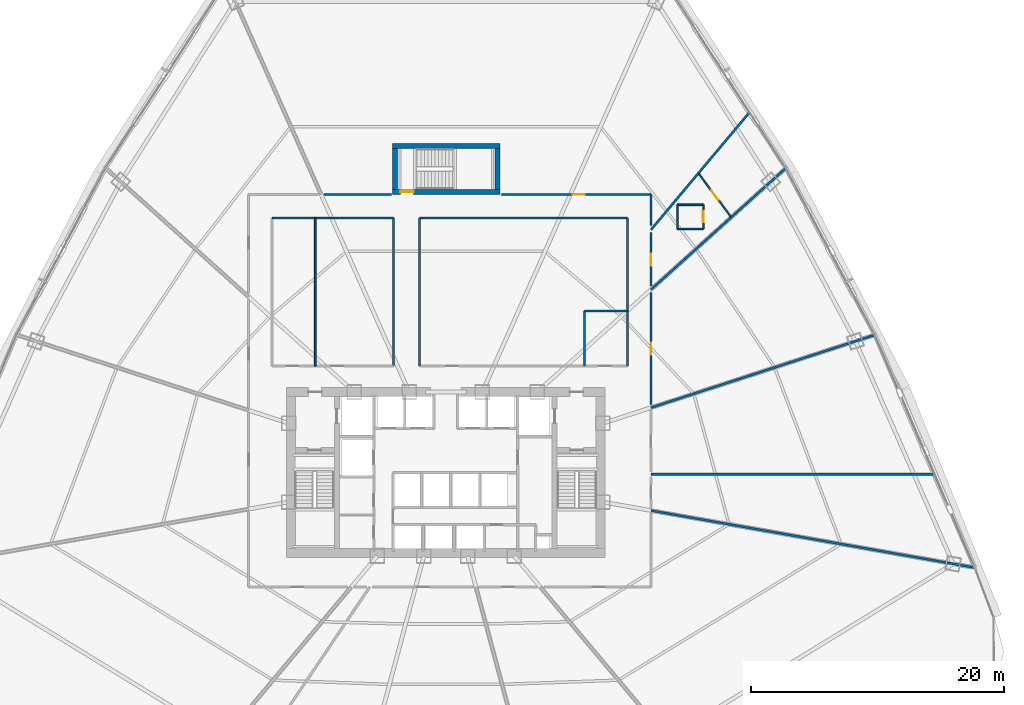
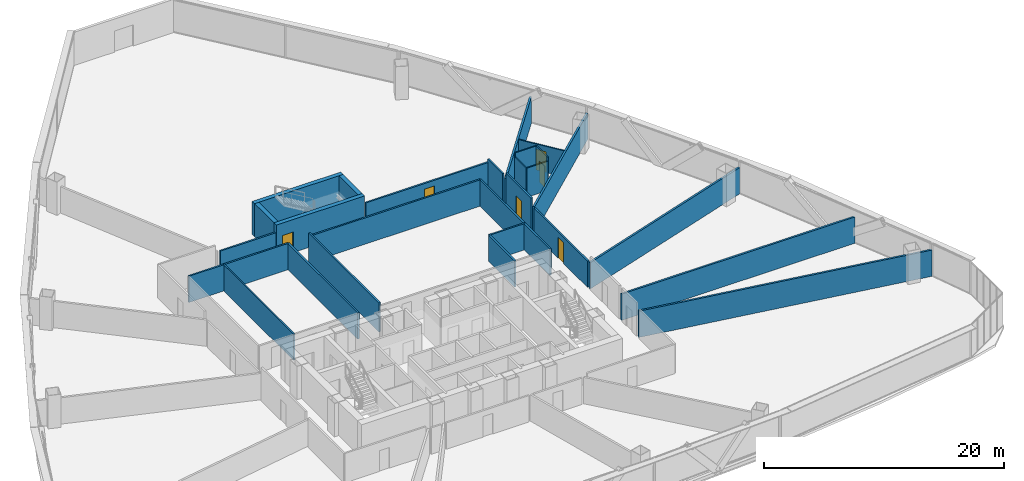
# One storey, part 37 of 42: 27 walls, 6 doors, 6 openings.
"""IFC4 building model written with IfcOpenShell, lengths in metres."""

from ifc_helpers import new_model, si_unit, direction, frame, frame_2d, origin, origin_with_axes, place, context, subcontext, project, spatial, rectangle, extrude, source, transform, mapped, material, layer, layer_set, type_object, element, fill, save


model = new_model("IFC4")

# Units and contexts
model_context = context("Model", 3, precision=1e-05, world=origin(), true_north=direction((0.0, 1.0)))
body_context = subcontext(model_context, "Body", "Model", "MODEL_VIEW")
ifc_project = project(units=[si_unit("LENGTHUNIT", "METRE"), si_unit("AREAUNIT", "SQUARE_METRE"), si_unit("VOLUMEUNIT", "CUBIC_METRE"), si_unit("PLANEANGLEUNIT", "RADIAN"), si_unit("MASSUNIT", "GRAM", prefix="KILO"), si_unit("THERMODYNAMICTEMPERATUREUNIT", "KELVIN"), si_unit("POWERUNIT", "WATT")], contexts=[model_context])

# Site, building, storey
site_placement = place(None, origin())
site = spatial("IfcSite", under=ifc_project, at=site_placement, CompositionType="ELEMENT")
building_placement = place(site_placement, origin())
building = spatial("IfcBuilding", under=site, at=building_placement, Name="Yunzhuo Pagoda Commons", CompositionType="ELEMENT")
storey_placement = place(building_placement, frame((0.0, 0.0, 41.2900390625)))
storey = spatial("IfcBuildingStorey", under=building, at=storey_placement, Name="L10", CompositionType="ELEMENT", Elevation=41.2900390625)

# Walls
ifc_material_1 = material(Name="Gypsum plasterboard on acoustic stud")
ifc_layer_1 = layer(ifc_material_1, 0.159912109375)
ifc_layer_set_1 = layer_set([ifc_layer_1], Name="Gypsum plasterboard on acoustic stud")
wall_type_1 = type_object("IfcWallType", Name="W-COR1 Tower Rated Corridor Wall 160", PredefinedType="PARTITIONING", material=ifc_layer_set_1)
wall_1_placement = place(storey_placement, frame((34.300048828125, 53.949951171875, 0.0), z_axis=(0.0, 0.0, 1.0), x_axis=(1.0, 0.0, 0.0)))
element("IfcWall", 1, at=wall_1_placement, inside=storey, type_object=wall_type_1, Name="L10 interior wall IW-L10-ISLWN", PredefinedType="PARTITIONING", context=body_context, shape_type="SweptSolid", body=[
    extrude(rectangle(XDim=9.579833984375, YDim=0.159912109375, at=frame_2d((4.7900390625, 0.0))), origin(), (0.0, 0.0, 1.0), 2.669921875),
])
wall_2_placement = place(storey_placement, frame((43.8798828125, 42.25, 0.0), z_axis=(0.0, 0.0, 1.0), x_axis=(0.0, 1.0, 0.0)))
element("IfcWall", 2, at=wall_2_placement, inside=storey, type_object=wall_type_1, Name="L10 interior wall IW-L10-ISLWE", PredefinedType="PARTITIONING", context=body_context, shape_type="SweptSolid", body=[
    extrude(rectangle(XDim=11.699951171875, YDim=0.159912109375, at=frame_2d((5.85009765625, 0.0))), origin(), (0.0, 0.0, 1.0), 2.669921875),
])
wall_3_placement = place(storey_placement, frame((45.919921875, 53.949951171875, 0.0), z_axis=(0.0, 0.0, 1.0), x_axis=(1.0, 0.0, 0.0)))
element("IfcWall", 3, at=wall_3_placement, inside=storey, type_object=wall_type_1, Name="L10 interior wall IW-L10-ISLEN", PredefinedType="PARTITIONING", context=body_context, shape_type="SweptSolid", body=[
    extrude(rectangle(XDim=16.43017578125, YDim=0.159912109375, at=frame_2d((8.215087890625, 0.0))), origin(), (0.0, 0.0, 1.0), 2.669921875),
])
wall_4_placement = place(storey_placement, frame((45.919921875, 42.25, 0.0), z_axis=(0.0, 0.0, 1.0), x_axis=(0.0, 1.0, 0.0)))
element("IfcWall", 4, at=wall_4_placement, inside=storey, type_object=wall_type_1, Name="L10 interior wall IW-L10-ISLEW", PredefinedType="PARTITIONING", context=body_context, shape_type="SweptSolid", body=[
    extrude(rectangle(XDim=11.699951171875, YDim=0.159912109375, at=frame_2d((5.85009765625, 0.0))), origin(), (0.0, 0.0, 1.0), 2.969970703125),
])
wall_5_placement = place(storey_placement, frame((62.35009765625, 42.25, 0.0), z_axis=(0.0, 0.0, 1.0), x_axis=(0.0, 1.0, 0.0)))
element("IfcWall", 5, at=wall_5_placement, inside=storey, type_object=wall_type_1, Name="L10 interior wall IW-L10-ISLEE", PredefinedType="PARTITIONING", context=body_context, shape_type="SweptSolid", body=[
    extrude(rectangle(XDim=11.699951171875, YDim=0.159912109375, at=frame_2d((5.85009765625, 0.0))), origin(), (0.0, 0.0, 1.0), 2.669921875),
])
wall_6_placement = place(storey_placement, frame((58.949951171875, 42.25, 0.0), z_axis=(0.0, 0.0, 1.0), x_axis=(0.0, 1.0, 0.0)))
element("IfcWall", 6, at=wall_6_placement, inside=storey, type_object=wall_type_1, Name="L10 interior wall IW-L10-ISL2W", PredefinedType="PARTITIONING", context=body_context, shape_type="SweptSolid", body=[
    extrude(rectangle(XDim=4.35009765625, YDim=0.159912109375, at=frame_2d((2.175048828125, 0.0))), origin(), (0.0, 0.0, 1.0), 2.669921875),
])
wall_7_placement = place(storey_placement, frame((58.949951171875, 46.60009765625, 0.0), z_axis=(0.0, 0.0, 1.0), x_axis=(1.0, 0.0, 0.0)))
element("IfcWall", 7, at=wall_7_placement, inside=storey, type_object=wall_type_1, Name="L10 interior wall IW-L10-ISL2N", PredefinedType="PARTITIONING", context=body_context, shape_type="SweptSolid", body=[
    extrude(rectangle(XDim=3.400146484375, YDim=0.159912109375, at=frame_2d((1.7001953125, 0.0))), origin(), (0.0, 0.0, 1.0), 2.669921875),
])
wall_8_placement = place(storey_placement, frame((38.380126953125, 55.800048828125, 0.0), z_axis=(0.0, 0.0, 1.0), x_axis=(1.0, 0.0, 0.0)))
element("IfcWall", 8, at=wall_8_placement, inside=storey, type_object=wall_type_1, Name="L10 interior wall IW-L10-CWL06", PredefinedType="PARTITIONING", context=body_context, shape_type="SweptSolid", body=[
    extrude(rectangle(XDim=5.328857421875, YDim=0.159912109375, at=frame_2d((2.66455078125, 0.0))), origin(), (0.0, 0.0, 1.0), 2.669921875),
])

# Wall, opening, door
wall_9_placement = place(storey_placement, frame((52.39111328125, 55.800048828125, 0.0), z_axis=(0.0, 0.0, 1.0), x_axis=(1.0, 0.0, 0.0)))
wall_9 = element("IfcWall", 9, at=wall_9_placement, inside=storey, type_object=wall_type_1, Name="L10 interior wall IW-L10-CWL07", PredefinedType="PARTITIONING", context=body_context, shape_type="SweptSolid", body=[
    extrude(rectangle(XDim=11.808837890625, YDim=0.159912109375, at=frame_2d((5.904296875, 0.0))), origin(), (0.0, 0.0, 1.0), 2.669921875),
])
opening_1_placement = place(wall_9_placement, frame((5.623779296875, 0.0, 0.0)))
opening_1 = element("IfcOpeningElement", 10, at=opening_1_placement, cuts=wall_9, Name="Opening D-06", PredefinedType="OPENING", context=body_context, shape_type="SweptSolid", body=[
    extrude(rectangle(XDim=0.949951171875, YDim=2.10009765625, at=frame_2d((0.47509765625, 1.050048828125))), frame((0.0, 0.08984375, 0.0), z_axis=(0.0, -1.0, 0.0), x_axis=(1.0, 0.0, 0.0)), (0.0, 0.0, 1.0), 0.179931640625),
])
ifc_material_2 = material(Name="Galvanized fire-resisting metal leaf")
door_type_1 = type_object("IfcDoorType", Name="D-06 Co-Living Suite Entrance Fire Door 950x2100", OperationType="NOTDEFINED", PredefinedType="DOOR", material=ifc_material_2)
shared_shape_1 = source(origin(), body_context, "Body", "SweptSolid", [
    extrude(rectangle(XDim=0.949951171875, YDim=2.10009765625, at=frame_2d((0.47509765625, 1.050048828125))), frame((0.0, 0.02490234375, 0.0), z_axis=(0.0, -1.0, 0.0), x_axis=(1.0, 0.0, 0.0)), (0.0, 0.0, 1.0), 0.050048828125),
])
door_1_placement = place(opening_1_placement, origin_with_axes())
door_1 = element("IfcDoor", 11, at=door_1_placement, inside=storey, type_object=door_type_1, Name="L10 Shared Resident Kitchen and Pantry door", OperationType="SINGLE_SWING_LEFT", OverallHeight=2.10009765625, OverallWidth=0.949951171875, PredefinedType="DOOR", context=body_context, shape_type="MappedRepresentation", body=[
    mapped(shared_shape_1, transform((0.0, 0.0, 0.0), scale=1.0)),
])
fill(opening_1, door_1)

# Wall
wall_10_placement = place(storey_placement, frame((64.199951171875, 55.800048828125, 0.0), z_axis=(0.0, 0.0, 1.0), x_axis=(0.0, -1.0, 0.0)))
element("IfcWall", 12, at=wall_10_placement, inside=storey, type_object=wall_type_1, Name="L10 interior wall IW-L10-CWL08", PredefinedType="PARTITIONING", context=body_context, shape_type="SweptSolid", body=[
    extrude(rectangle(XDim=2.451416015625, YDim=0.159912109375, at=frame_2d((1.2255859375, 0.0))), origin(), (0.0, 0.0, 1.0), 2.969970703125),
])

# Wall, opening, door
wall_11_placement = place(storey_placement, frame((64.199951171875, 52.78662109375, 0.0), z_axis=(0.0, 0.0, 1.0), x_axis=(0.0, -1.0, 0.0)))
wall_11 = element("IfcWall", 13, at=wall_11_placement, inside=storey, type_object=wall_type_1, Name="L10 interior wall IW-L10-CWL09", PredefinedType="PARTITIONING", context=body_context, shape_type="SweptSolid", body=[
    extrude(rectangle(XDim=4.2041015625, YDim=0.159912109375, at=frame_2d((2.10205078125, 0.0))), origin(), (0.0, 0.0, 1.0), 3.369873046875),
])
opening_2_placement = place(wall_11_placement, frame((1.6650390625, 0.0, 0.0)))
opening_2 = element("IfcOpeningElement", 14, at=opening_2_placement, cuts=wall_11, Name="Opening D-06", PredefinedType="OPENING", context=body_context, shape_type="SweptSolid", body=[
    extrude(rectangle(XDim=0.949951171875, YDim=2.10009765625, at=frame_2d((0.47509765625, 1.050048828125))), frame((0.0, 0.08984375, 0.0), z_axis=(0.0, -1.0, 0.0), x_axis=(1.0, 0.0, 0.0)), (0.0, 0.0, 1.0), 0.179931640625),
])
door_2_placement = place(opening_2_placement, origin_with_axes())
door_2 = element("IfcDoor", 15, at=door_2_placement, inside=storey, type_object=door_type_1, Name="L10 unit 03 entrance door", OperationType="SINGLE_SWING_RIGHT", OverallHeight=2.10009765625, OverallWidth=0.949951171875, PredefinedType="DOOR", context=body_context, shape_type="MappedRepresentation", body=[
    mapped(shared_shape_1, transform((0.0, 0.0, 0.0), scale=1.0)),
])
fill(opening_2, door_2)

wall_12_placement = place(storey_placement, frame((64.199951171875, 48.06689453125, 0.0), z_axis=(0.0, 0.0, 1.0), x_axis=(0.0, -1.0, 0.0)))
wall_12 = element("IfcWall", 16, at=wall_12_placement, inside=storey, type_object=wall_type_1, Name="L10 interior wall IW-L10-CWL10", PredefinedType="PARTITIONING", context=body_context, shape_type="SweptSolid", body=[
    extrude(rectangle(XDim=8.871826171875, YDim=0.159912109375, at=frame_2d((4.43603515625, 0.0))), origin(), (0.0, 0.0, 1.0), 2.669921875),
])
opening_3_placement = place(wall_12_placement, frame((3.966796875, 0.0, 0.0)))
opening_3 = element("IfcOpeningElement", 17, at=opening_3_placement, cuts=wall_12, Name="Opening D-06", PredefinedType="OPENING", context=body_context, shape_type="SweptSolid", body=[
    extrude(rectangle(XDim=0.949951171875, YDim=2.10009765625, at=frame_2d((0.47509765625, 1.050048828125))), frame((0.0, 0.08984375, 0.0), z_axis=(0.0, -1.0, 0.0), x_axis=(1.0, 0.0, 0.0)), (0.0, 0.0, 1.0), 0.179931640625),
])
door_3_placement = place(opening_3_placement, origin_with_axes())
door_3 = element("IfcDoor", 18, at=door_3_placement, inside=storey, type_object=door_type_1, Name="L10 unit 02 entrance door", OperationType="SINGLE_SWING_LEFT", OverallHeight=2.10009765625, OverallWidth=0.949951171875, PredefinedType="DOOR", context=body_context, shape_type="MappedRepresentation", body=[
    mapped(shared_shape_1, transform((0.0, 0.0, 0.0), scale=1.0)),
])
fill(opening_3, door_3)

# Walls
ifc_layer_2 = layer(ifc_material_1, 0.1201171875)
ifc_layer_set_2 = layer_set([ifc_layer_2], Name="Gypsum plasterboard on acoustic stud")
wall_type_2 = type_object("IfcWallType", Name="W-PRT1 Suite & Bathroom Partition 120", PredefinedType="PARTITIONING", material=ifc_layer_set_2)
wall_13_placement = place(storey_placement, frame((37.699951171875, 42.25, 0.0), z_axis=(0.0, 0.0, 1.0), x_axis=(0.0, 1.0, 0.0)))
element("IfcWall", 19, at=wall_13_placement, inside=storey, type_object=wall_type_2, Name="L10 interior wall IW-L10-ISLW1", PredefinedType="PARTITIONING", context=body_context, shape_type="SweptSolid", body=[
    extrude(rectangle(XDim=11.699951171875, YDim=0.1201171875, at=frame_2d((5.85009765625, 0.0))), origin(), (0.0, 0.0, 1.0), 2.669921875),
])
wall_14_placement = place(storey_placement, frame((66.27490234375, 53.076904296875, 0.0), z_axis=(0.0, 0.0, 1.0), x_axis=(1.0, 0.0, 0.0)))
element("IfcWall", 20, at=wall_14_placement, inside=storey, type_object=wall_type_2, Name="L10 interior wall IW-L10-B03S", PredefinedType="PARTITIONING", context=body_context, shape_type="SweptSolid", body=[
    extrude(rectangle(XDim=2.050048828125, YDim=0.1201171875, at=frame_2d((1.02490234375, 0.0))), origin(), (0.0, 0.0, 1.0), 2.969970703125),
])

# Wall, opening, door
wall_15_placement = place(storey_placement, frame((68.324951171875, 53.076904296875, 0.0), z_axis=(0.0, 0.0, 1.0), x_axis=(0.0, 1.0, 0.0)))
wall_15 = element("IfcWall", 21, at=wall_15_placement, inside=storey, type_object=wall_type_2, Name="L10 interior wall IW-L10-B03E", PredefinedType="PARTITIONING", context=body_context, shape_type="SweptSolid", body=[
    extrude(rectangle(XDim=1.900146484375, YDim=0.1201171875, at=frame_2d((0.9501953125, 0.0))), origin(), (0.0, 0.0, 1.0), 3.369873046875),
])
opening_4_placement = place(wall_15_placement, frame((0.52490234375, 0.0, 0.0)))
opening_4 = element("IfcOpeningElement", 22, at=opening_4_placement, cuts=wall_15, Name="Opening D-05", PredefinedType="OPENING", context=body_context, shape_type="SweptSolid", body=[
    extrude(rectangle(XDim=0.85009765625, YDim=2.10009765625, at=frame_2d((0.425048828125, 1.050048828125))), frame((0.0, 0.070068359375, 0.0), z_axis=(0.0, -1.0, 0.0), x_axis=(1.0, 0.0, 0.0)), (0.0, 0.0, 1.0), 0.14013671875),
])
ifc_material_3 = material(Name="Powder-coated aluminium and timber acoustic leaf", Category="wood")
door_type_2 = type_object("IfcDoorType", Name="D-05 En-Suite Bathroom Door 850x2100", OperationType="NOTDEFINED", PredefinedType="DOOR", material=ifc_material_3)
shared_shape_2 = source(origin(), body_context, "Body", "SweptSolid", [
    extrude(rectangle(XDim=0.85009765625, YDim=2.10009765625, at=frame_2d((0.425048828125, 1.050048828125))), frame((0.0, 0.02490234375, 0.0), z_axis=(0.0, -1.0, 0.0), x_axis=(1.0, 0.0, 0.0)), (0.0, 0.0, 1.0), 0.050048828125),
])
door_4_placement = place(opening_4_placement, frame((0.85009765625, 0.0, 0.0), z_axis=(0.0, 0.0, 1.0), x_axis=(-1.0, 0.0, 0.0)))
door_4 = element("IfcDoor", 23, at=door_4_placement, inside=storey, type_object=door_type_2, Name="L10 unit 03 bathroom door", OperationType="SINGLE_SWING_RIGHT", OverallHeight=2.10009765625, OverallWidth=0.85009765625, PredefinedType="DOOR", context=body_context, shape_type="MappedRepresentation", body=[
    mapped(shared_shape_2, transform((0.0, 0.0, 0.0), scale=1.0)),
])
fill(opening_4, door_4)

# Walls
wall_16_placement = place(storey_placement, frame((68.324951171875, 54.97705078125, 0.0), z_axis=(0.0, 0.0, 1.0), x_axis=(-1.0, 0.0, 0.0)))
element("IfcWall", 24, at=wall_16_placement, inside=storey, type_object=wall_type_2, Name="L10 interior wall IW-L10-B03N", PredefinedType="PARTITIONING", context=body_context, shape_type="SweptSolid", body=[
    extrude(rectangle(XDim=2.050048828125, YDim=0.1201171875, at=frame_2d((1.02490234375, 0.0))), origin(), (0.0, 0.0, 1.0), 3.369873046875),
])
wall_17_placement = place(storey_placement, frame((66.27490234375, 54.97705078125, 0.0), z_axis=(0.0, 0.0, 1.0), x_axis=(0.0, -1.0, 0.0)))
element("IfcWall", 25, at=wall_17_placement, inside=storey, type_object=wall_type_2, Name="L10 interior wall IW-L10-B03W", PredefinedType="PARTITIONING", context=body_context, shape_type="SweptSolid", body=[
    extrude(rectangle(XDim=1.900146484375, YDim=0.1201171875, at=frame_2d((0.9501953125, 0.0))), origin(), (0.0, 0.0, 1.0), 2.969970703125),
])

# Wall, opening, door
wall_18_placement = place(storey_placement, frame((70.500732421875, 54.040283203125, 0.0), z_axis=(0.0, 0.0, 1.0), x_axis=(-0.599443526822, 0.800417052636, 0.0)))
wall_18 = element("IfcWall", 26, at=wall_18_placement, inside=storey, type_object=wall_type_2, Name="L10 interior wall IW-L10-CLB03", PredefinedType="PARTITIONING", context=body_context, shape_type="SweptSolid", body=[
    extrude(rectangle(XDim=4.212890625, YDim=0.1201171875, at=frame_2d((2.1064453125, 0.0))), origin(), (0.0, 0.0, 1.0), 2.669921875),
])
opening_5_placement = place(wall_18_placement, frame((1.646484375, 0.0, 0.0)))
opening_5 = element("IfcOpeningElement", 27, at=opening_5_placement, cuts=wall_18, Name="Opening D-04", PredefinedType="OPENING", context=body_context, shape_type="SweptSolid", body=[
    extrude(rectangle(XDim=0.919921875, YDim=2.10009765625, at=frame_2d((0.4599609375, 1.050048828125))), frame((0.0, 0.070068359375, 0.0), z_axis=(0.0, -1.0, 0.0), x_axis=(1.0, 0.0, 0.0)), (0.0, 0.0, 1.0), 0.14013671875),
])
door_type_3 = type_object("IfcDoorType", Name="D-04 Bedroom & Study Interior Door 920x2100", OperationType="NOTDEFINED", PredefinedType="DOOR", material=ifc_material_3)
shared_shape_3 = source(origin(), body_context, "Body", "SweptSolid", [
    extrude(rectangle(XDim=0.919921875, YDim=2.10009765625, at=frame_2d((0.4599609375, 1.050048828125))), frame((0.0, 0.02490234375, 0.0), z_axis=(0.0, -1.0, 0.0), x_axis=(1.0, 0.0, 0.0)), (0.0, 0.0, 1.0), 0.050048828125),
])
door_5_placement = place(opening_5_placement, origin_with_axes())
door_5 = element("IfcDoor", 28, at=door_5_placement, inside=storey, type_object=door_type_3, Name="L10 suite 03 bedroom door", OperationType="SINGLE_SWING_RIGHT", OverallHeight=2.10009765625, OverallWidth=0.919921875, PredefinedType="DOOR", context=body_context, shape_type="MappedRepresentation", body=[
    mapped(shared_shape_3, transform((0.0, 0.0, 0.0), scale=1.0)),
])
fill(opening_5, door_5)

# Walls
ifc_layer_3 = layer(ifc_material_1, 0.179931640625)
ifc_layer_set_3 = layer_set([ifc_layer_3], Name="Gypsum plasterboard on acoustic stud")
wall_type_3 = type_object("IfcWallType", Name="W-PRT2 Acoustic Unit Demising Wall 180", PredefinedType="PARTITIONING", material=ifc_layer_set_3)
wall_19_placement = place(storey_placement, frame((64.199951171875, 33.699951171875, 0.0), z_axis=(0.0, 0.0, 1.0), x_axis=(1.0, 0.0, 0.0)))
element("IfcWall", 29, at=wall_19_placement, inside=storey, type_object=wall_type_3, Name="L10 interior wall IW-L10-RAD01", PredefinedType="PARTITIONING", context=body_context, shape_type="SweptSolid", body=[
    extrude(rectangle(XDim=22.397705078125, YDim=0.179931640625, at=frame_2d((11.19873046875, 0.0))), origin(), (0.0, 0.0, 1.0), 2.669921875),
])
wall_20_placement = place(storey_placement, frame((64.199951171875, 38.963623046875, 0.0), z_axis=(0.0, 0.0, 1.0), x_axis=(0.951055212532, 0.309021006915, 0.0)))
element("IfcWall", 30, at=wall_20_placement, inside=storey, type_object=wall_type_3, Name="L10 interior wall IW-L10-RAD02", PredefinedType="PARTITIONING", context=body_context, shape_type="SweptSolid", body=[
    extrude(rectangle(XDim=18.5810546875, YDim=0.179931640625, at=frame_2d((9.29052734375, 0.0))), origin(), (0.0, 0.0, 1.0), 2.669921875),
])
wall_21_placement = place(storey_placement, frame((64.199951171875, 48.28662109375, 0.0), z_axis=(0.0, 0.0, 1.0), x_axis=(0.743156867614, 0.669117231969, 0.0)))
element("IfcWall", 31, at=wall_21_placement, inside=storey, type_object=wall_type_3, Name="L10 interior wall IW-L10-RAD03", PredefinedType="PARTITIONING", context=body_context, shape_type="SweptSolid", body=[
    extrude(rectangle(XDim=14.327392578125, YDim=0.179931640625, at=frame_2d((7.16357421875, 0.0))), origin(), (0.0, 0.0, 1.0), 2.669921875),
])
wall_22_placement = place(storey_placement, frame((64.199951171875, 53.00634765625, 0.0), z_axis=(0.0, 0.0, 1.0), x_axis=(0.642786334534, 0.766045513098, 0.0)))
element("IfcWall", 32, at=wall_22_placement, inside=storey, type_object=wall_type_3, Name="L10 interior wall IW-L10-RAD04", PredefinedType="PARTITIONING", context=body_context, shape_type="SweptSolid", body=[
    extrude(rectangle(XDim=12.110107421875, YDim=0.179931640625, at=frame_2d((6.05517578125, 0.0))), origin(), (0.0, 0.0, 1.0), 2.669921875),
])
wall_23_placement = place(storey_placement, frame((64.199951171875, 30.843505859375, 0.0), z_axis=(0.0, 0.0, 1.0), x_axis=(0.984807792045, -0.173647956302, 0.0)))
element("IfcWall", 33, at=wall_23_placement, inside=storey, type_object=wall_type_3, Name="L10 interior wall IW-L10-RAD13", PredefinedType="PARTITIONING", context=body_context, shape_type="SweptSolid", body=[
    extrude(rectangle(XDim=25.953857421875, YDim=0.179931640625, at=frame_2d((12.97705078125, 0.0))), origin(), (0.0, 0.0, 1.0), 2.669921875),
])
ifc_material_4 = material(Name="Concrete C60", Category="concrete")
ifc_layer_4 = layer(ifc_material_4, 0.39990234375)
ifc_layer_set_4 = layer_set([ifc_layer_4], Name="Concrete C60")
wall_type_4 = type_object("IfcWallType", Name="W-S01 Internal Core Shear Web 400", PredefinedType="SHEAR", material=ifc_layer_set_4)
wall_24_placement = place(storey_placement, frame((43.800048828125, 59.60009765625, 0.0), z_axis=(0.0, 0.0, 1.0), x_axis=(1.0, 0.0, 0.0)))
element("IfcWall", 34, at=wall_24_placement, inside=storey, type_object=wall_type_4, Name="L10 ST3 structural stair wall N", PredefinedType="SHEAR", context=body_context, shape_type="SweptSolid", body=[
    extrude(rectangle(XDim=8.5, YDim=0.39990234375, at=frame_2d((4.25, 0.0))), origin(), (0.0, 0.0, 1.0), 3.369873046875),
])

# Wall, opening, door
wall_25_placement = place(storey_placement, frame((43.800048828125, 56.0, 0.0), z_axis=(0.0, 0.0, 1.0), x_axis=(1.0, 0.0, 0.0)))
wall_25 = element("IfcWall", 35, at=wall_25_placement, inside=storey, type_object=wall_type_4, Name="L10 ST3 structural stair wall S", PredefinedType="SHEAR", context=body_context, shape_type="SweptSolid", body=[
    extrude(rectangle(XDim=8.5, YDim=0.39990234375, at=frame_2d((4.25, 0.0))), origin(), (0.0, 0.0, 1.0), 3.369873046875),
])
opening_6_placement = place(wall_25_placement, frame((0.6201171875, 0.0, 0.0)))
opening_6 = element("IfcOpeningElement", 36, at=opening_6_placement, cuts=wall_25, Name="Opening D-01", PredefinedType="OPENING", context=body_context, shape_type="SweptSolid", body=[
    extrude(rectangle(XDim=1.050048828125, YDim=2.10009765625, at=frame_2d((0.52490234375, 1.050048828125))), frame((0.0, 0.2099609375, 0.0), z_axis=(0.0, -1.0, 0.0), x_axis=(1.0, 0.0, 0.0)), (0.0, 0.0, 1.0), 0.419921875),
])
door_type_4 = type_object("IfcDoorType", Name="D-01 Smokeproof Stair Fire Door 1050x2100", OperationType="NOTDEFINED", PredefinedType="DOOR", material=ifc_material_2)
shared_shape_4 = source(origin(), body_context, "Body", "SweptSolid", [
    extrude(rectangle(XDim=1.050048828125, YDim=2.10009765625, at=frame_2d((0.52490234375, 1.050048828125))), frame((0.0, 0.02490234375, 0.0), z_axis=(0.0, -1.0, 0.0), x_axis=(1.0, 0.0, 0.0)), (0.0, 0.0, 1.0), 0.050048828125),
])
door_6_placement = place(opening_6_placement, frame((1.050048828125, 0.0, 0.0), z_axis=(0.0, 0.0, 1.0), x_axis=(-1.0, 0.0, 0.0)))
door_6 = element("IfcDoor", 37, at=door_6_placement, inside=storey, type_object=door_type_4, Name="L10 Stair ST3 fire door", OperationType="SINGLE_SWING_LEFT", OverallHeight=2.10009765625, OverallWidth=1.050048828125, PredefinedType="DOOR", context=body_context, shape_type="MappedRepresentation", body=[
    mapped(shared_shape_4, transform((0.0, 0.0, 0.0), scale=1.0)),
])
fill(opening_6, door_6)

# Walls
for number, where, z_axis, x_axis, name in (
    (38, (44.0, 56.199951171875, 0.0), (0.0, 0.0, 1.0), (0.0, 1.0, 0.0), "L10 ST3 structural stair wall W"),
    (39, (52.10009765625, 56.199951171875, 0.0), (0.0, 0.0, 1.0), (0.0, 1.0, 0.0), "L10 ST3 structural stair wall E"),
):
    element("IfcWall", number, at=place(storey_placement, frame(where, z_axis=z_axis, x_axis=x_axis)), inside=storey, type_object=wall_type_4, Name=name, PredefinedType="SHEAR", context=body_context, shape_type="SweptSolid", body=[
        extrude(rectangle(XDim=3.199951171875, YDim=0.39990234375, at=frame_2d((1.60009765625, 0.0))), origin(), (0.0, 0.0, 1.0), 3.369873046875),
    ])

save(model, "model.ifc")
